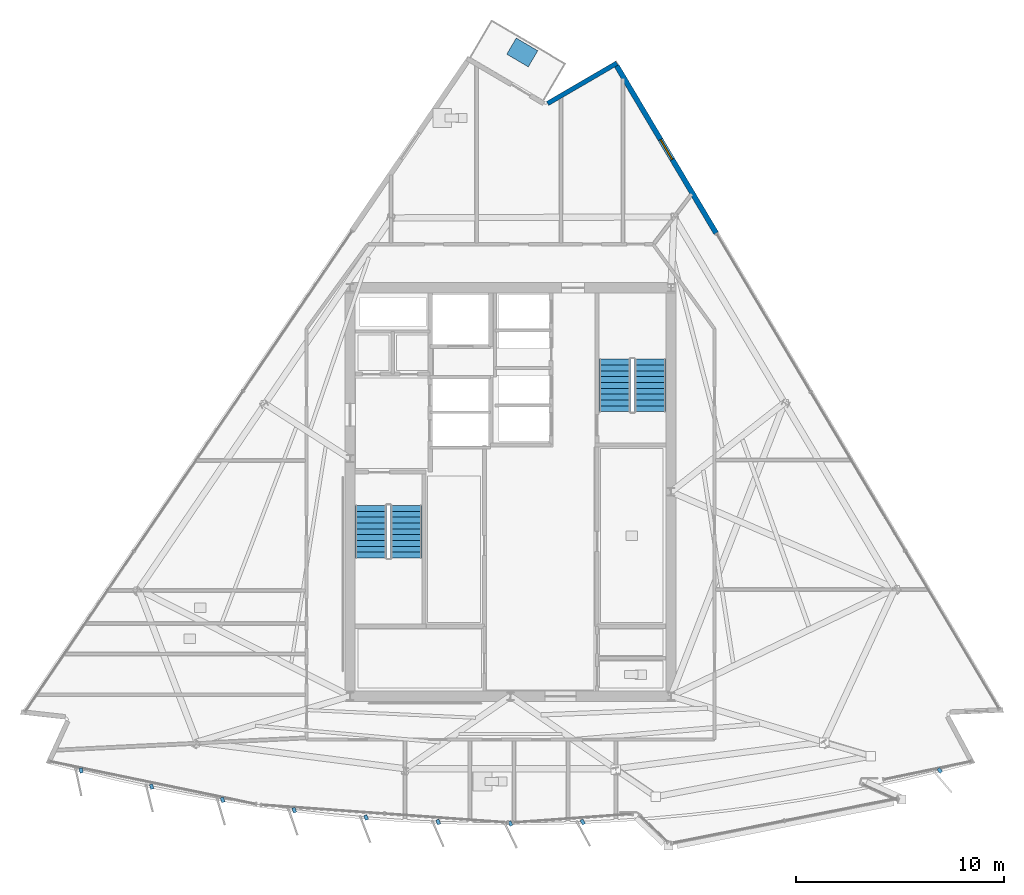
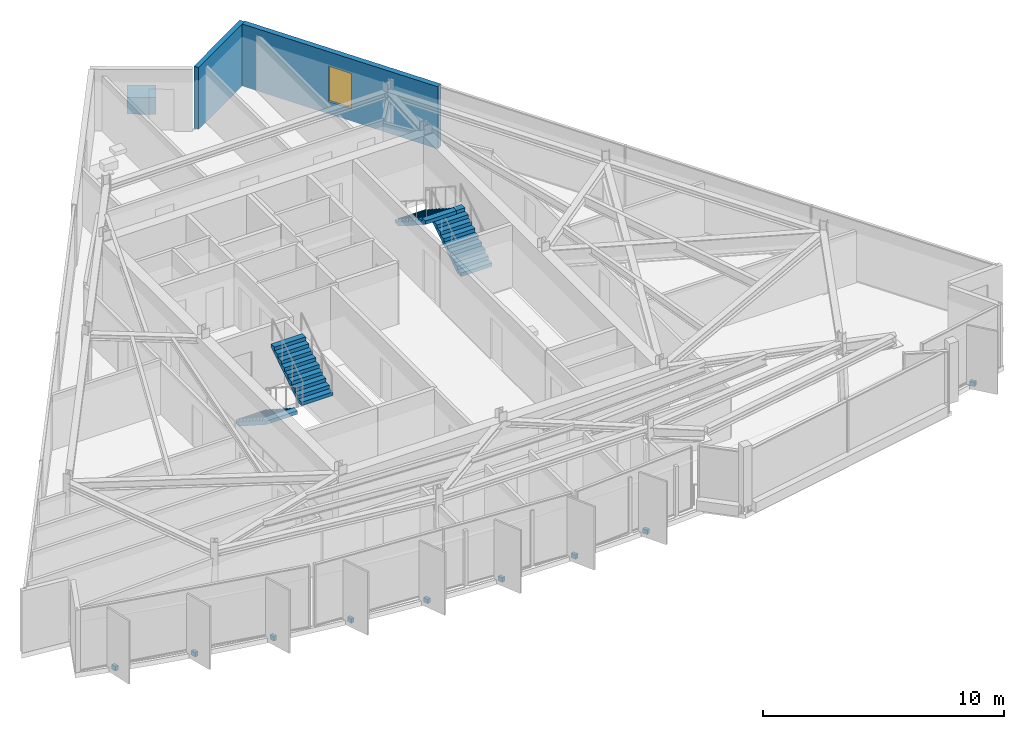
# One storey, part 9 of 13: 10 discrete accessories, 4 stair flights, 2 walls, 1 window, 1 opening, 2 elements without a shape of their own.
"""IFC4 building model written with IfcOpenShell, lengths in metres."""

from ifc_helpers import new_model, si_unit, direction, frame, frame_2d, origin, origin_2d, place, context, subcontext, project, spatial, polyline, rectangle, outline, extrude, material, layer, layer_set, type_object, element, fill, aggregate, save


model = new_model("IFC4")

# Units and contexts
model_context = context("Model", 3, precision=1e-05, world=origin(), true_north=direction((0.0, 1.0)))
body_context = subcontext(model_context, "Body", "Model", "MODEL_VIEW")
ifc_project = project(units=[si_unit("LENGTHUNIT", "METRE"), si_unit("AREAUNIT", "SQUARE_METRE"), si_unit("VOLUMEUNIT", "CUBIC_METRE"), si_unit("PLANEANGLEUNIT", "RADIAN"), si_unit("MASSUNIT", "GRAM", prefix="KILO")], contexts=[model_context])

# Site, building, storey
site_placement = place(None, origin())
site = spatial("IfcSite", under=ifc_project, at=site_placement, CompositionType="ELEMENT")
building_placement = place(site_placement, origin())
building = spatial("IfcBuilding", under=site, at=building_placement, Name="Savorim Split Tower", CompositionType="ELEMENT")
storey_placement = place(building_placement, frame((0.0, 0.0, 290.39990234375)))
storey = spatial("IfcBuildingStorey", under=building, at=storey_placement, Name="L77", CompositionType="ELEMENT", Elevation=290.39990234375)

# Wall
ifc_material_1 = material(Name="Precast concrete C40/50", Category="concrete")
ifc_layer_1 = layer(ifc_material_1, 0.219970703125)
ifc_layer_set_1 = layer_set([ifc_layer_1], Name="WAL-EXT-CRN220")
wall_type_1 = type_object("IfcWallType", Name="WAL-EXT-CRN220", PredefinedType="SOLIDWALL", material=ifc_layer_set_1)
wall_1_placement = place(storey_placement, frame((1.78271484375, 19.031005859375, 0.0), z_axis=(0.0, 0.0, 1.0), x_axis=(0.863972097652, 0.503539685108, 0.0)))
element("IfcWall", 1, at=wall_1_placement, inside=storey, type_object=wall_type_1, Name="L77 Notched Corner Facade Wall NE1", PredefinedType="SOLIDWALL", context=body_context, shape_type="SweptSolid", body=[
    extrude(rectangle(XDim=3.8486328125, YDim=0.219970703125, at=frame_2d((1.92431640625, 0.0))), origin(), (0.0, 0.0, 1.0), 3.150146484375),
])

# Wall, opening, window
ifc_layer_2 = layer(ifc_material_1, 0.25)
ifc_layer_set_2 = layer_set([ifc_layer_2], Name="WAL-EXT-SPN250")
wall_type_2 = type_object("IfcWallType", Name="WAL-EXT-SPN250", PredefinedType="SOLIDWALL", material=ifc_layer_set_2)
wall_2_placement = place(storey_placement, frame((5.09130859375, 20.84228515625, 0.0), z_axis=(0.0, 0.0, 1.0), x_axis=(0.511095217069, -0.859524100354, 0.0)))
wall_2 = element("IfcWall", 2, at=wall_2_placement, inside=storey, type_object=wall_type_2, Name="L77 East Operable Window Pier", PredefinedType="SOLIDWALL", context=body_context, shape_type="SweptSolid", body=[
    extrude(rectangle(XDim=9.344482421875, YDim=0.25, at=frame_2d((4.67236328125, 0.0))), origin(), (0.0, 0.0, 1.0), 3.150146484375),
])
opening_placement = place(wall_2_placement, frame((4.122314453125, 0.0, 0.6201171875)))
opening = element("IfcOpeningElement", 3, at=opening_placement, cuts=wall_2, Name="Opening WN-09", PredefinedType="OPENING", context=body_context, shape_type="SweptSolid", body=[
    extrude(rectangle(XDim=1.10009765625, YDim=1.800048828125, at=frame_2d((0.550048828125, 0.89990234375))), frame((0.0, 0.135009765625, 0.0), z_axis=(0.0, -1.0, 0.0), x_axis=(1.0, 0.0, 0.0)), (0.0, 0.0, 1.0), 0.27001953125),
])
ifc_material_2 = material(Name="Low-E Operable Double Glazing", Category="glass")
window_type = type_object("IfcWindowType", Name="WIN-TWR-1100x1800", PartitioningType="SINGLE_PANEL", PredefinedType="WINDOW", material=ifc_material_2)
window_placement = place(opening_placement, origin())
window = element("IfcWindow", 4, at=window_placement, inside=storey, type_object=window_type, Name="L77 East Operable Ventilation Window", OverallHeight=1.800048828125, OverallWidth=1.10009765625, PartitioningType="SINGLE_PANEL", PredefinedType="WINDOW", context=body_context, shape_type="SweptSolid", body=[
    extrude(rectangle(XDim=1.10009765625, YDim=1.800048828125, at=frame_2d((0.550048828125, 0.89990234375))), frame((0.0, 0.030029296875, 0.0), z_axis=(0.0, -1.0, 0.0), x_axis=(1.0, 0.0, 0.0)), (0.0, 0.0, 1.0), 0.06005859375),
])
fill(opening, window)

# Stair, stair flights
ifc_material_3 = material(Name="Concrete C50/60", Category="concrete")
stair_type = type_object("IfcStairType", Name="STR-DOG-3600", PredefinedType="HALF_TURN_STAIR", material=ifc_material_3)
stair_1_placement = place(storey_placement, origin())
stair_1 = element("IfcStair", 5, at=stair_1_placement, inside=storey, type_object=stair_type, Name="L77 Core Protected Exit Stair ST-1", PredefinedType="HALF_TURN_STAIR")
stair_flight_type = type_object("IfcStairFlightType", Name="SFL-DOG-3600", PredefinedType="STRAIGHT", material=ifc_material_3)
stair_flight_1_placement = place(storey_placement, frame((-6.699951171875, -0.25, 0.0), z_axis=(0.0, 0.0, 1.0), x_axis=(0.0, -1.0, 0.0)))
stair_flight_1 = element("IfcStairFlight", 6, at=stair_flight_1_placement, type_object=stair_flight_type, Name="ST-1 flight 1", NumberOfRisers=10, NumberOfTreads=9, PredefinedType="STRAIGHT", RiserHeight=0.18, TreadLength=0.28, context=body_context, shape_type="SweptSolid", body=[
    extrude(outline(polyline([(0.0, 0.0), (0.0, 0.179931640625), (0.280029296875, 0.179931640625), (0.280029296875, 0.360107421875), (0.56005859375, 0.360107421875), (0.56005859375, 0.5400390625), (0.840087890625, 0.5400390625), (0.840087890625, 0.719970703125), (1.1201171875, 0.719970703125), (1.1201171875, 0.89990234375), (1.39990234375, 0.89990234375), (1.39990234375, 1.080078125), (1.679931640625, 1.080078125), (1.679931640625, 1.260009765625), (1.9599609375, 1.260009765625), (1.9599609375, 1.43994140625), (2.239990234375, 1.43994140625), (2.239990234375, 1.6201171875), (2.52001953125, 1.6201171875), (2.52001953125, 1.800048828125), (2.52001953125, 1.44189453125), (0.277099609375, 0.0), (0.0, 0.0)])), frame((0.0, 0.75, 0.0), z_axis=(0.0, -1.0, 0.0), x_axis=(1.0, 0.0, 0.0)), (0.0, 0.0, 1.0), 1.5),
])
stair_flight_2_placement = place(storey_placement, frame((-5.0, -2.77001953125, 1.800048828125), z_axis=(0.0, 0.0, 1.0), x_axis=(0.0, 1.0, 0.0)))
stair_flight_2 = element("IfcStairFlight", 7, at=stair_flight_2_placement, type_object=stair_flight_type, Name="ST-1 flight 2", NumberOfRisers=10, NumberOfTreads=9, PredefinedType="STRAIGHT", RiserHeight=0.18, TreadLength=0.28, context=body_context, shape_type="SweptSolid", body=[
    extrude(outline(polyline([(0.0, 0.0), (0.0, 0.179931640625), (0.280029296875, 0.179931640625), (0.280029296875, 0.360107421875), (0.56005859375, 0.360107421875), (0.56005859375, 0.5400390625), (0.840087890625, 0.5400390625), (0.840087890625, 0.719970703125), (1.1201171875, 0.719970703125), (1.1201171875, 0.89990234375), (1.39990234375, 0.89990234375), (1.39990234375, 1.080078125), (1.679931640625, 1.080078125), (1.679931640625, 1.260009765625), (1.9599609375, 1.260009765625), (1.9599609375, 1.43994140625), (2.239990234375, 1.43994140625), (2.239990234375, 1.6201171875), (2.52001953125, 1.6201171875), (2.52001953125, 1.800048828125), (2.52001953125, 1.44189453125), (0.277099609375, 0.0), (0.0, 0.0)])), frame((0.0, 0.75, 0.0), z_axis=(0.0, -1.0, 0.0), x_axis=(1.0, 0.0, 0.0)), (0.0, 0.0, 1.0), 1.5),
])
aggregate(stair_1, [stair_flight_1, stair_flight_2])

stair_2_placement = place(storey_placement, origin())
stair_2 = element("IfcStair", 8, at=stair_2_placement, inside=storey, type_object=stair_type, Name="L77 Core Protected Exit Stair ST-2", PredefinedType="HALF_TURN_STAIR")
stair_flight_3_placement = place(storey_placement, frame((6.699951171875, 4.25, 0.0), z_axis=(0.0, 0.0, 1.0), x_axis=(0.0, 1.0, 0.0)))
stair_flight_3 = element("IfcStairFlight", 9, at=stair_flight_3_placement, type_object=stair_flight_type, Name="ST-2 flight 1", NumberOfRisers=10, NumberOfTreads=9, PredefinedType="STRAIGHT", RiserHeight=0.18, TreadLength=0.28, context=body_context, shape_type="SweptSolid", body=[
    extrude(outline(polyline([(0.0, 0.0), (0.0, 0.179931640625), (0.280029296875, 0.179931640625), (0.280029296875, 0.360107421875), (0.56005859375, 0.360107421875), (0.56005859375, 0.5400390625), (0.840087890625, 0.5400390625), (0.840087890625, 0.719970703125), (1.1201171875, 0.719970703125), (1.1201171875, 0.89990234375), (1.39990234375, 0.89990234375), (1.39990234375, 1.080078125), (1.679931640625, 1.080078125), (1.679931640625, 1.260009765625), (1.9599609375, 1.260009765625), (1.9599609375, 1.43994140625), (2.239990234375, 1.43994140625), (2.239990234375, 1.6201171875), (2.52001953125, 1.6201171875), (2.52001953125, 1.800048828125), (2.52001953125, 1.44189453125), (0.277099609375, 0.0), (0.0, 0.0)])), frame((0.0, 0.75, 0.0), z_axis=(0.0, -1.0, 0.0), x_axis=(1.0, 0.0, 0.0)), (0.0, 0.0, 1.0), 1.5),
])
stair_flight_4_placement = place(storey_placement, frame((5.0, 6.77001953125, 1.800048828125), z_axis=(0.0, 0.0, 1.0), x_axis=(0.0, -1.0, 0.0)))
stair_flight_4 = element("IfcStairFlight", 10, at=stair_flight_4_placement, type_object=stair_flight_type, Name="ST-2 flight 2", NumberOfRisers=10, NumberOfTreads=9, PredefinedType="STRAIGHT", RiserHeight=0.18, TreadLength=0.28, context=body_context, shape_type="SweptSolid", body=[
    extrude(outline(polyline([(0.0, 0.0), (0.0, 0.179931640625), (0.280029296875, 0.179931640625), (0.280029296875, 0.360107421875), (0.56005859375, 0.360107421875), (0.56005859375, 0.5400390625), (0.840087890625, 0.5400390625), (0.840087890625, 0.719970703125), (1.1201171875, 0.719970703125), (1.1201171875, 0.89990234375), (1.39990234375, 0.89990234375), (1.39990234375, 1.080078125), (1.679931640625, 1.080078125), (1.679931640625, 1.260009765625), (1.9599609375, 1.260009765625), (1.9599609375, 1.43994140625), (2.239990234375, 1.43994140625), (2.239990234375, 1.6201171875), (2.52001953125, 1.6201171875), (2.52001953125, 1.800048828125), (2.52001953125, 1.44189453125), (0.277099609375, 0.0), (0.0, 0.0)])), frame((0.0, 0.75, 0.0), z_axis=(0.0, -1.0, 0.0), x_axis=(1.0, 0.0, 0.0)), (0.0, 0.0, 1.0), 1.5),
])
aggregate(stair_2, [stair_flight_3, stair_flight_4])

# Discrete accessories
ifc_material_4 = material(Name="Steel S355", Category="steel")
discrete_accessory_type_1 = type_object("IfcDiscreteAccessoryType", Name="ACC-BRK-FIN", PredefinedType="BRACKET", material=ifc_material_4)
for number, where, z_axis, x_axis, name in (
    (11, (-20.595703125, -12.967529296875, -0.18994140625), (0.0, 0.0, 1.0), (0.206721626106, -0.978399800337, 0.0), "L77 Fin Slab-Edge Cleat Bracket 01"),
    (12, (-17.216064453125, -13.7412109375, -0.18994140625), (0.0, 0.0, 1.0), (0.246581250663, -0.969122121727, 0.0), "L77 Fin Slab-Edge Cleat Bracket 02"),
    (13, (-13.8076171875, -14.376220703125, -0.18994140625), (0.0, 0.0, 1.0), (0.286026212504, -0.958221793616, 0.0), "L77 Fin Slab-Edge Cleat Bracket 03"),
    (14, (-10.3759765625, -14.87109375, -0.18994140625), (0.0, 0.0, 1.0), (0.324993810493, -0.945716143005, 0.0), "L77 Fin Slab-Edge Cleat Bracket 04"),
    (15, (-6.927001953125, -15.225341796875, -0.18994140625), (0.0, 0.0, 1.0), (0.363415461732, -0.931627179817, 0.0), "L77 Fin Slab-Edge Cleat Bracket 05"),
    (16, (-3.46630859375, -15.43798828125, -0.18994140625), (0.0, 0.0, 1.0), (0.401230091723, -0.915977299662, 0.0), "L77 Fin Slab-Edge Cleat Bracket 06"),
    (17, (0.0, -15.509033203125, -0.18994140625), (0.0, 0.0, 1.0), (0.438371146789, -0.898794046299, 0.0), "L77 Fin Slab-Edge Cleat Bracket 07"),
    (18, (3.46630859375, -15.43798828125, -0.18994140625), (0.0, 0.0, 1.0), (0.474778051978, -0.880105562623, 0.0), "L77 Fin Slab-Edge Cleat Bracket 08"),
    (19, (20.595703125, -12.967529296875, -0.18994140625), (0.0, 0.0, 1.0), (0.643719022682, -0.765261928909, 0.0), "L77 Fin Slab-Edge Cleat Bracket 13"),
):
    element("IfcDiscreteAccessory", number, at=place(storey_placement, frame(where, z_axis=z_axis, x_axis=x_axis)), inside=storey, type_object=discrete_accessory_type_1, Name=name, PredefinedType="BRACKET", context=body_context, shape_type="SweptSolid", body=[
        extrude(rectangle(XDim=0.239990234375, YDim=0.159912109375, at=origin_2d()), origin(), (0.0, 0.0, 1.0), 0.219970703125),
    ])
ifc_material_5 = material(Name="Architectural Precast Planter Concrete C40/50", Category="concrete")
discrete_accessory_type_2 = type_object("IfcDiscreteAccessoryType", Name="ACC-PLN-TREE", PredefinedType="USERDEFINED", material=ifc_material_5)
discrete_accessory_placement = place(storey_placement, frame((0.56494140625, 21.4794921875, 0.0), z_axis=(0.0, 0.0, 1.0), x_axis=(-0.862124808883, 0.50669597779, 0.0)))
element("IfcDiscreteAccessory", 20, at=discrete_accessory_placement, inside=storey, type_object=discrete_accessory_type_2, Name="L77 Balcony Precast Tree Planter N", ObjectType="PLANTER", PredefinedType="USERDEFINED", context=body_context, shape_type="SweptSolid", body=[
    extrude(rectangle(XDim=1.199951171875, YDim=0.89990234375, at=origin_2d()), origin(), (0.0, 0.0, 1.0), 0.85009765625),
])

save(model, "model.ifc")
